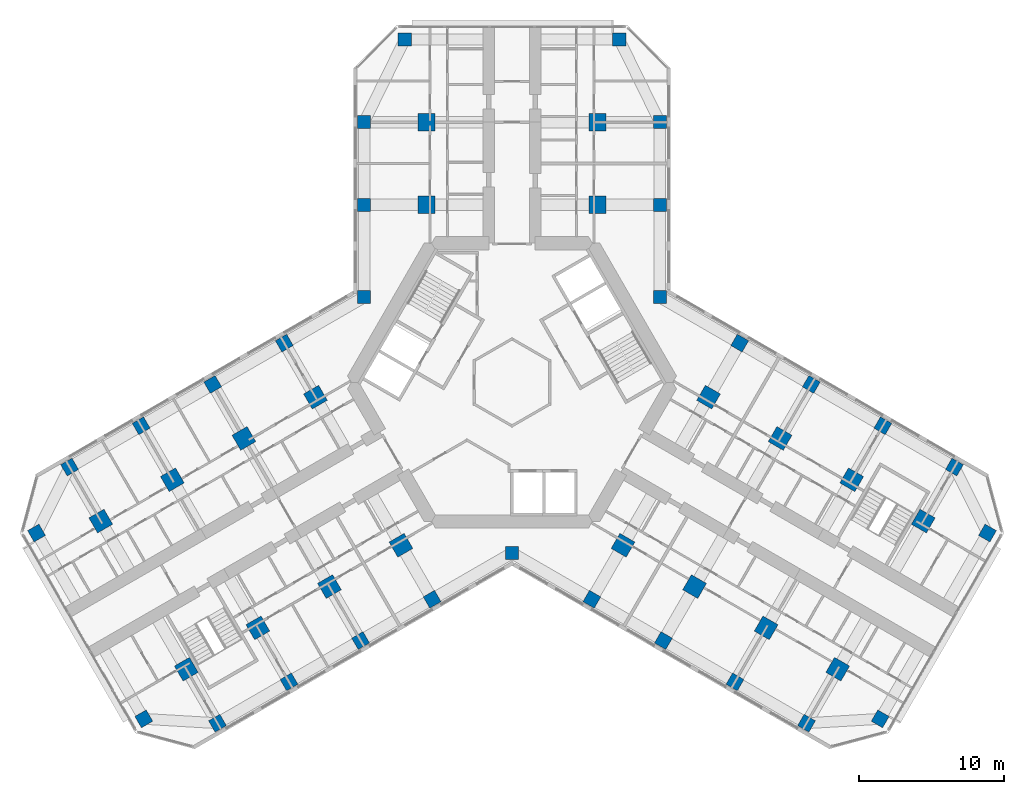
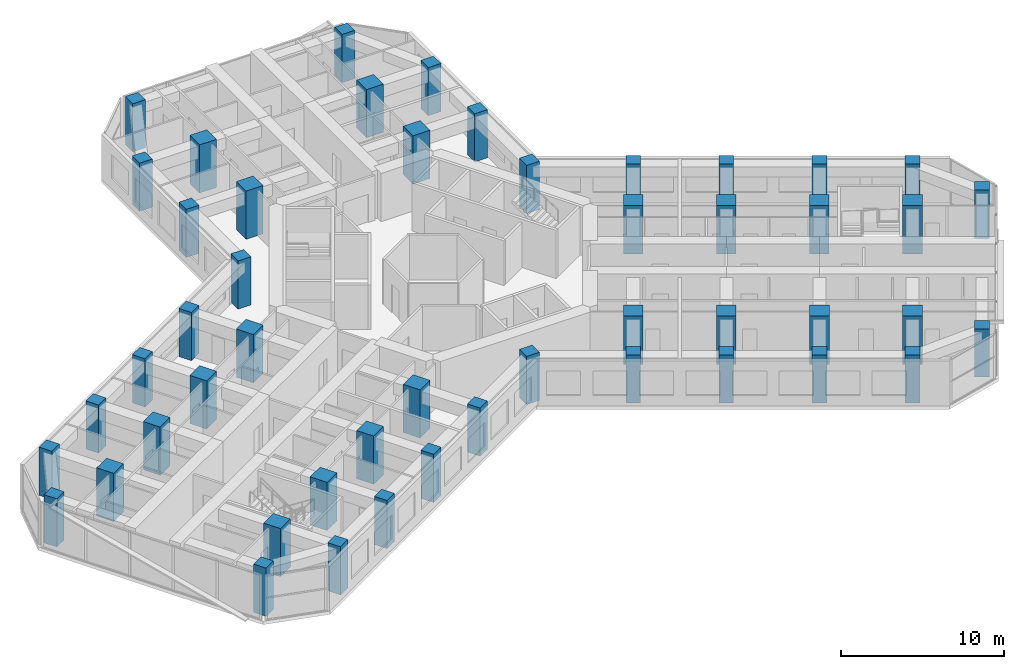
# One storey, part 1 of 19: 49 columns.
"""IFC4 building model written with IfcOpenShell, lengths in metres."""

from ifc_helpers import new_model, si_unit, direction, frame, origin, origin_2d, place, context, subcontext, project, spatial, rectangle, extrude, material, material_profile, profile_set, type_object, element, save


model = new_model("IFC4")

# Units and contexts
model_context = context("Model", 3, precision=1e-05, world=origin(), true_north=direction((0.0, 1.0)))
body_context = subcontext(model_context, "Body", "Model", "MODEL_VIEW")
ifc_project = project(units=[si_unit("LENGTHUNIT", "METRE"), si_unit("AREAUNIT", "SQUARE_METRE"), si_unit("VOLUMEUNIT", "CUBIC_METRE"), si_unit("PLANEANGLEUNIT", "RADIAN"), si_unit("MASSUNIT", "GRAM", prefix="KILO")], contexts=[model_context])

# Site, building, storey
site_placement = place(None, origin())
site = spatial("IfcSite", under=ifc_project, at=site_placement, CompositionType="ELEMENT")
building_placement = place(site_placement, origin())
building = spatial("IfcBuilding", under=site, at=building_placement, Name="Kosmar Iwan School Tower", CompositionType="ELEMENT")
storey_placement = place(building_placement, frame((0.0, 0.0, 149.0)))
storey = spatial("IfcBuildingStorey", under=building, at=storey_placement, Name="L37", CompositionType="ELEMENT", Elevation=149.0)

# Columns
ifc_material_1 = material(Name="Concrete C50/60", Category="concrete")
ifc_material_profile_1 = material_profile(ifc_material_1, rectangle(XDim=0.89990234375, YDim=0.89990234375, at=origin_2d()), Name="RC 900x900 + HD 400x634")
ifc_profile_set_1 = profile_set([ifc_material_profile_1], Name="Concrete C50/60")
column_type_1 = type_object("IfcColumnType", Name="Composite column 900x900 HD 400x634", PredefinedType="COLUMN", material=ifc_profile_set_1)
for number, where, z_axis, x_axis, name in (
    (1, (-10.199951171875, 12.25, 0.0), (0.0, 0.0, 1.0), (0.0, 1.0, 0.0), "Column AL1 L37"),
    (2, (-10.199951171875, 17.949951171875, 0.0), (0.0, 0.0, 1.0), (0.0, 1.0, 0.0), "Column AL2 L37"),
    (3, (-7.39990234375, 23.64990234375, 0.0), (0.0, 0.0, 1.0), (0.0, 1.0, 0.0), "Column ALTIP L37"),
    (4, (10.199951171875, 12.25, 0.0), (0.0, 0.0, 1.0), (0.0, 1.0, 0.0), "Column AR1 L37"),
    (5, (10.199951171875, 17.949951171875, 0.0), (0.0, 0.0, 1.0), (0.0, 1.0, 0.0), "Column AR2 L37"),
    (6, (7.39990234375, 23.64990234375, 0.0), (0.0, 0.0, 1.0), (0.0, 1.0, 0.0), "Column ARTIP L37"),
    (7, (-5.5087890625, -14.95849609375, 0.0), (0.0, 0.0, 1.0), (-0.866025403784, -0.5, 0.0), "Column BL1 L37"),
    (8, (-10.445068359375, -17.808349609375, 0.0), (0.0, 0.0, 1.0), (-0.866025403784, -0.5, 0.0), "Column BL2 L37"),
    (9, (-15.381591796875, -20.658447265625, 0.0), (0.0, 0.0, 1.0), (-0.866025403784, -0.5, 0.0), "Column BL3 L37"),
    (10, (-20.31787109375, -23.508544921875, 0.0), (0.0, 0.0, 1.0), (-0.866025403784, -0.5, 0.0), "Column BL4 L37"),
    (11, (-25.3984375, -23.20849609375, 0.0), (0.0, 0.0, 1.0), (-0.866025403784, -0.5, 0.0), "Column BLTIP L37"),
    (12, (-15.708740234375, 2.70849609375, 0.0), (0.0, 0.0, 1.0), (-0.866025403784, -0.5, 0.0), "Column BR1 L37"),
    (13, (-20.645263671875, -0.1416015625, 0.0), (0.0, 0.0, 1.0), (-0.866025403784, -0.5, 0.0), "Column BR2 L37"),
    (14, (-25.58154296875, -2.991455078125, 0.0), (0.0, 0.0, 1.0), (-0.866025403784, -0.5, 0.0), "Column BR3 L37"),
    (15, (-30.517822265625, -5.841552734375, 0.0), (0.0, 0.0, 1.0), (-0.866025403784, -0.5, 0.0), "Column BR4 L37"),
    (16, (-32.79833984375, -10.391357421875, 0.0), (0.0, 0.0, 1.0), (-0.866025403784, -0.5, 0.0), "Column BRTIP L37"),
    (17, (15.708740234375, 2.70849609375, 0.0), (0.0, 0.0, 1.0), (0.866025403784, -0.5, 0.0), "Column CL1 L37"),
    (18, (20.645263671875, -0.1416015625, 0.0), (0.0, 0.0, 1.0), (0.866025403784, -0.5, 0.0), "Column CL2 L37"),
    (19, (25.58154296875, -2.991455078125, 0.0), (0.0, 0.0, 1.0), (0.866025403784, -0.5, 0.0), "Column CL3 L37"),
    (20, (30.517822265625, -5.841552734375, 0.0), (0.0, 0.0, 1.0), (0.866025403784, -0.5, 0.0), "Column CL4 L37"),
    (21, (32.79833984375, -10.391357421875, 0.0), (0.0, 0.0, 1.0), (0.866025403784, -0.5, 0.0), "Column CLTIP L37"),
    (22, (5.5087890625, -14.95849609375, 0.0), (0.0, 0.0, 1.0), (0.866025403784, -0.5, 0.0), "Column CR1 L37"),
    (23, (10.445068359375, -17.808349609375, 0.0), (0.0, 0.0, 1.0), (0.866025403784, -0.5, 0.0), "Column CR2 L37"),
    (24, (15.381591796875, -20.658447265625, 0.0), (0.0, 0.0, 1.0), (0.866025403784, -0.5, 0.0), "Column CR3 L37"),
    (25, (20.31787109375, -23.508544921875, 0.0), (0.0, 0.0, 1.0), (0.866025403784, -0.5, 0.0), "Column CR4 L37"),
    (26, (25.3984375, -23.20849609375, 0.0), (0.0, 0.0, 1.0), (0.866025403784, -0.5, 0.0), "Column CRTIP L37"),
    (27, (-10.199951171875, 5.888916015625, 0.0), (0.0, 0.0, 1.0), (1.0, 0.0, 0.0), "Column RAB L37"),
    (28, (10.199951171875, 5.888916015625, 0.0), (0.0, 0.0, 1.0), (1.0, 0.0, 0.0), "Column RAC L37"),
    (29, (0.0, -11.77783203125, 0.0), (0.0, 0.0, 1.0), (1.0, 0.0, 0.0), "Column RBC L37"),
):
    element("IfcColumn", number, at=place(storey_placement, frame(where, z_axis=z_axis, x_axis=x_axis)), inside=storey, type_object=column_type_1, Name=name, PredefinedType="COLUMN", context=body_context, shape_type="SweptSolid", body=[
        extrude(rectangle(XDim=0.89990234375, YDim=0.89990234375, at=origin_2d()), origin(), (0.0, 0.0, 1.0), 3.60009765625),
    ])
ifc_material_2 = material(Name="Concrete C50/60", Category="concrete")
ifc_material_profile_2 = material_profile(ifc_material_2, rectangle(XDim=1.199951171875, YDim=1.199951171875, at=origin_2d()), Name="RC 1200x1200")
ifc_profile_set_2 = profile_set([ifc_material_profile_2], Name="Concrete C50/60")
column_type_2 = type_object("IfcColumnType", Name="RC interior column 1200x1200", PredefinedType="COLUMN", material=ifc_profile_set_2)
for number, where, z_axis, x_axis, name in (
    (30, (-5.89990234375, 12.25, 0.0), (0.0, 0.0, 1.0), (0.0, 1.0, 0.0), "Interior column ALI1 L37"),
    (31, (-5.89990234375, 17.949951171875, 0.0), (0.0, 0.0, 1.0), (0.0, 1.0, 0.0), "Interior column ALI2 L37"),
    (32, (5.89990234375, 12.25, 0.0), (0.0, 0.0, 1.0), (0.0, 1.0, 0.0), "Interior column ARI1 L37"),
    (33, (5.89990234375, 17.949951171875, 0.0), (0.0, 0.0, 1.0), (0.0, 1.0, 0.0), "Interior column ARI2 L37"),
    (34, (-7.65869140625, -11.234619140625, 0.0), (0.0, 0.0, 1.0), (-0.866025403784, -0.5, 0.0), "Interior column BLI1 L37"),
    (35, (-12.59521484375, -14.08447265625, 0.0), (0.0, 0.0, 1.0), (-0.866025403784, -0.5, 0.0), "Interior column BLI2 L37"),
    (36, (-17.531494140625, -16.9345703125, 0.0), (0.0, 0.0, 1.0), (-0.866025403784, -0.5, 0.0), "Interior column BLI3 L37"),
    (37, (-22.4677734375, -19.78466796875, 0.0), (0.0, 0.0, 1.0), (-0.866025403784, -0.5, 0.0), "Interior column BLI4 L37"),
    (38, (-13.558837890625, -1.015380859375, 0.0), (0.0, 0.0, 1.0), (-0.866025403784, -0.5, 0.0), "Interior column BRI1 L37"),
    (39, (-18.4951171875, -3.865478515625, 0.0), (0.0, 0.0, 1.0), (-0.866025403784, -0.5, 0.0), "Interior column BRI2 L37"),
    (40, (-23.431396484375, -6.71533203125, 0.0), (0.0, 0.0, 1.0), (-0.866025403784, -0.5, 0.0), "Interior column BRI3 L37"),
    (41, (-28.367919921875, -9.5654296875, 0.0), (0.0, 0.0, 1.0), (-0.866025403784, -0.5, 0.0), "Interior column BRI4 L37"),
    (42, (13.558837890625, -1.015380859375, 0.0), (0.0, 0.0, 1.0), (0.866025403784, -0.5, 0.0), "Interior column CLI1 L37"),
    (43, (18.4951171875, -3.865478515625, 0.0), (0.0, 0.0, 1.0), (0.866025403784, -0.5, 0.0), "Interior column CLI2 L37"),
    (44, (23.431396484375, -6.71533203125, 0.0), (0.0, 0.0, 1.0), (0.866025403784, -0.5, 0.0), "Interior column CLI3 L37"),
    (45, (28.367919921875, -9.5654296875, 0.0), (0.0, 0.0, 1.0), (0.866025403784, -0.5, 0.0), "Interior column CLI4 L37"),
    (46, (7.65869140625, -11.234619140625, 0.0), (0.0, 0.0, 1.0), (0.866025403784, -0.5, 0.0), "Interior column CRI1 L37"),
    (47, (12.59521484375, -14.08447265625, 0.0), (0.0, 0.0, 1.0), (0.866025403784, -0.5, 0.0), "Interior column CRI2 L37"),
    (48, (17.531494140625, -16.9345703125, 0.0), (0.0, 0.0, 1.0), (0.866025403784, -0.5, 0.0), "Interior column CRI3 L37"),
    (49, (22.4677734375, -19.78466796875, 0.0), (0.0, 0.0, 1.0), (0.866025403784, -0.5, 0.0), "Interior column CRI4 L37"),
):
    element("IfcColumn", number, at=place(storey_placement, frame(where, z_axis=z_axis, x_axis=x_axis)), inside=storey, type_object=column_type_2, Name=name, PredefinedType="COLUMN", context=body_context, shape_type="SweptSolid", body=[
        extrude(rectangle(XDim=1.199951171875, YDim=1.199951171875, at=origin_2d()), origin(), (0.0, 0.0, 1.0), 3.60009765625),
    ])

save(model, "model.ifc")
